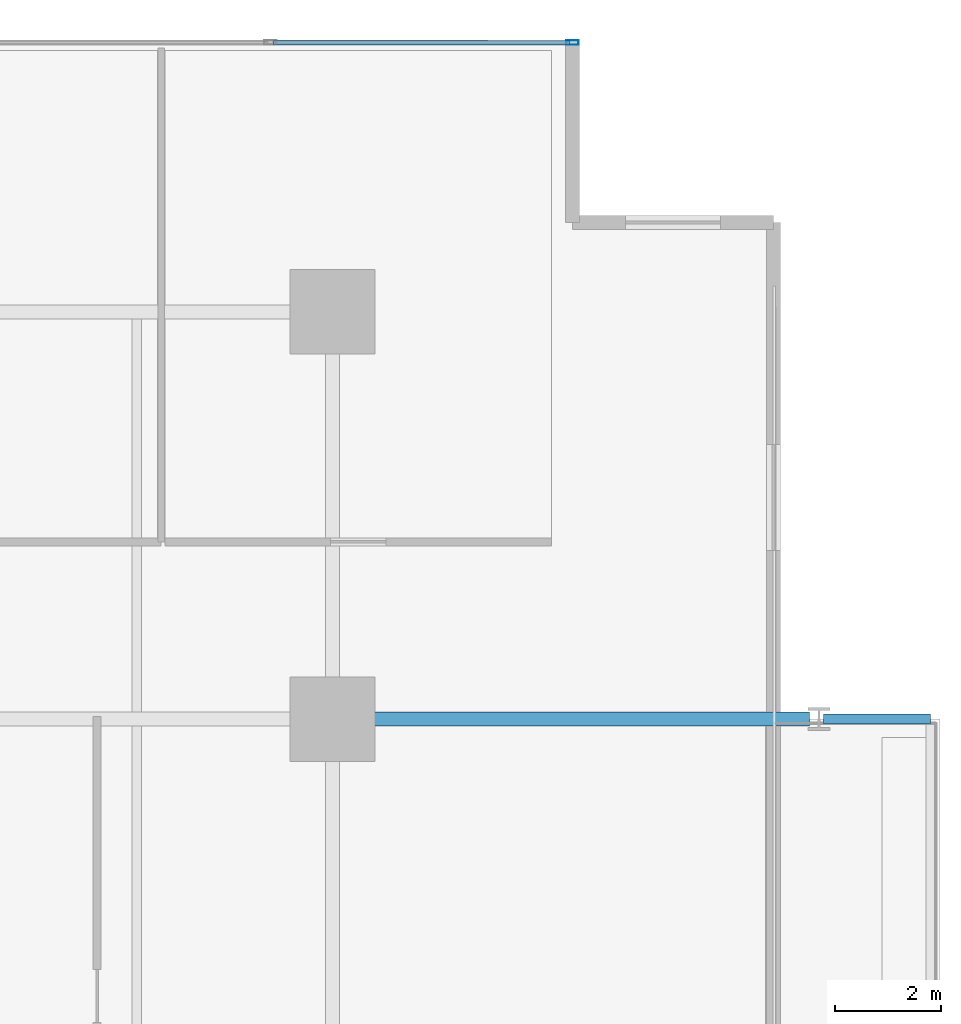
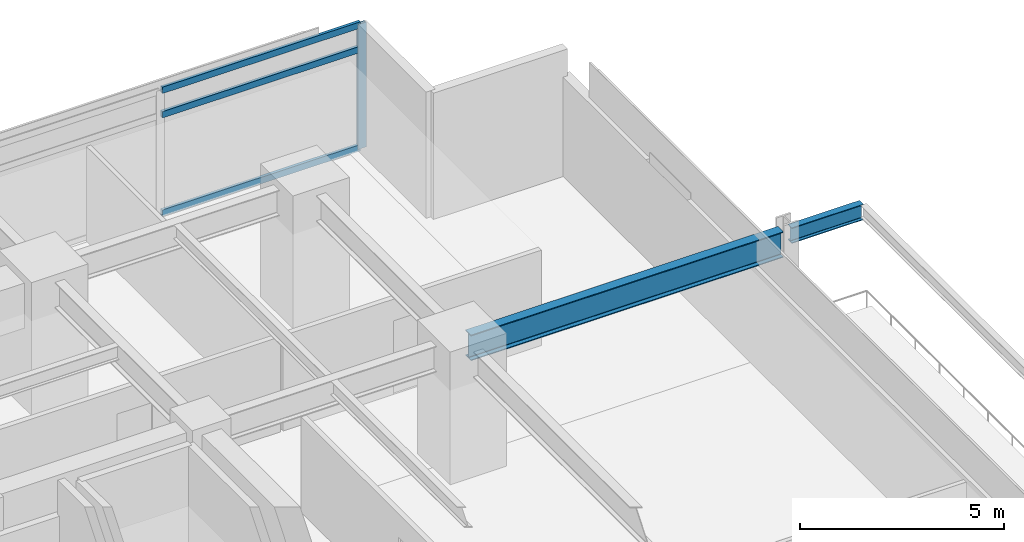
# One storey, part 11 of 21: 4 members, 2 beams, 1 element without a shape of its own.
"""IFC4 building model written with IfcOpenShell, lengths in metres."""

from ifc_helpers import new_model, si_unit, direction, frame, origin, origin_2d, place, context, subcontext, project, spatial, hollow_rectangle, i_section, extrude, material, material_profile, profile_set, type_object, element, aggregate, save


model = new_model("IFC4")

# Units and contexts
model_context = context("Model", 3, precision=1e-05, world=origin(), true_north=direction((0.0, 1.0)))
body_context = subcontext(model_context, "Body", "Model", "MODEL_VIEW")
ifc_project = project(units=[si_unit("LENGTHUNIT", "METRE"), si_unit("AREAUNIT", "SQUARE_METRE"), si_unit("VOLUMEUNIT", "CUBIC_METRE"), si_unit("PLANEANGLEUNIT", "RADIAN"), si_unit("MASSUNIT", "GRAM", prefix="KILO")], contexts=[model_context])

# Site, building, storey
site_placement = place(None, origin())
site = spatial("IfcSite", under=ifc_project, at=site_placement, CompositionType="ELEMENT")
building_placement = place(site_placement, origin())
building = spatial("IfcBuilding", under=site, at=building_placement, Name="Kovane Verandah Tower", CompositionType="ELEMENT")
storey_placement = place(building_placement, frame((0.0, 0.0, 172.39990234375)))
storey = spatial("IfcBuildingStorey", under=building, at=storey_placement, Name="L40", CompositionType="ELEMENT", Elevation=172.39990234375)

# Beam
ifc_material_1 = material(Name="Steel S355", Category="steel")
ifc_material_profile_1 = material_profile(ifc_material_1, i_section(OverallWidth=0.26806640625, OverallDepth=0.769775390625, WebThickness=0.015625, FlangeThickness=0.025390625, FilletRadius=0.0166015625, at=origin_2d()), Name="UB762x267x197")
ifc_profile_set_1 = profile_set([ifc_material_profile_1], Name="Steel S355")
beam_type_1 = type_object("IfcBeamType", Name="BM-UB762x197", PredefinedType="BEAM", material=ifc_profile_set_1)
beam_1_placement = place(storey_placement, frame((58.580078125, 36.5, 3.375244140625), z_axis=(1.0, 0.0, 0.0), x_axis=(0.0, 1.0, 0.0)))
element("IfcBeam", 1, at=beam_1_placement, inside=storey, type_object=beam_type_1, Name="L40 Primary Tower Girder G-VE2", PredefinedType="BEAM", context=body_context, shape_type="SweptSolid", body=[
    extrude(i_section(OverallWidth=0.26806640625, OverallDepth=0.769775390625, WebThickness=0.015625, FlangeThickness=0.025390625, FilletRadius=0.0166015625, at=origin_2d()), origin(), (0.0, 0.0, 1.0), 8.83984375),
])

# Curtain wall, members
ifc_material_2 = material(Name="Champagne Anodised Aluminium Frame with Low-E Clear Laminated Glass", Category="aluminium")
curtain_wall_type = type_object("IfcCurtainWallType", Name="CW-SYS-03-MID", PredefinedType="NOTDEFINED", material=ifc_material_2)
curtain_wall_placement = place(storey_placement, origin())
curtain_wall = element("IfcCurtainWall", 2, at=curtain_wall_placement, inside=storey, type_object=curtain_wall_type, Name="L40 N Unitised Curtain Wall-1", PredefinedType="NOTDEFINED")
ifc_material_3 = material(Name="Champagne Anodised Aluminium 6063-T6", Category="aluminium")
ifc_material_profile_2 = material_profile(ifc_material_3, hollow_rectangle(XDim=0.0849609375, YDim=0.22998046875, WallThickness=0.00390625, at=origin_2d()), Name="AL85x230x4")
ifc_profile_set_2 = profile_set([ifc_material_profile_2], Name="Champagne Anodised Aluminium 6063-T6")
member_type_1 = type_object("IfcMemberType", Name="CW-MUL-85x230", PredefinedType="MULLION", material=ifc_profile_set_2)
member_1_placement = place(storey_placement, frame((62.938720703125, 49.289306640625, 0.02001953125), z_axis=(0.0, 0.0, 1.0), x_axis=(0.0, 1.0, 0.0)))
member_1 = element("IfcMember", 3, at=member_1_placement, type_object=member_type_1, Name="L40 N Unitised Curtain Wall-1 Mullion 1", PredefinedType="MULLION", context=body_context, shape_type="SweptSolid", body=[
    extrude(hollow_rectangle(XDim=0.0849609375, YDim=0.22998046875, WallThickness=0.00390625, at=origin_2d()), origin(), (0.0, 0.0, 1.0), 3.735107421875),
])
ifc_material_profile_3 = material_profile(ifc_material_3, hollow_rectangle(XDim=0.0849609375, YDim=0.18994140625, WallThickness=0.00390625, at=origin_2d()), Name="AL85x190x4")
ifc_profile_set_3 = profile_set([ifc_material_profile_3], Name="Champagne Anodised Aluminium 6063-T6")
member_type_2 = type_object("IfcMemberType", Name="CW-TRN-85x190", PredefinedType="USERDEFINED", material=ifc_profile_set_3)
member_2_placement = place(storey_placement, frame((62.888671875, 49.289306640625, 0.050048828125), z_axis=(-1.0, 0.0, 0.0), x_axis=(0.0, -1.0, 0.0)))
member_2 = element("IfcMember", 4, at=member_2_placement, type_object=member_type_2, Name="L40 N Unitised Curtain Wall-1 Transom TB Bay 1", ObjectType="TRANSOM", PredefinedType="USERDEFINED", context=body_context, shape_type="SweptSolid", body=[
    extrude(hollow_rectangle(XDim=0.0849609375, YDim=0.18994140625, WallThickness=0.00390625, at=origin_2d()), origin(), (0.0, 0.0, 1.0), 5.609375),
])
member_3_placement = place(storey_placement, frame((62.888671875, 49.289306640625, 2.9951171875), z_axis=(-1.0, 0.0, 0.0), x_axis=(0.0, -1.0, 0.0)))
member_3 = element("IfcMember", 5, at=member_3_placement, type_object=member_type_2, Name="L40 N Unitised Curtain Wall-1 Transom TM Bay 1", ObjectType="TRANSOM", PredefinedType="USERDEFINED", context=body_context, shape_type="SweptSolid", body=[
    extrude(hollow_rectangle(XDim=0.0849609375, YDim=0.18994140625, WallThickness=0.00390625, at=origin_2d()), origin(), (0.0, 0.0, 1.0), 5.609375),
])
member_4_placement = place(storey_placement, frame((62.888671875, 49.289306640625, 3.72509765625), z_axis=(-1.0, 0.0, 0.0), x_axis=(0.0, -1.0, 0.0)))
member_4 = element("IfcMember", 6, at=member_4_placement, type_object=member_type_2, Name="L40 N Unitised Curtain Wall-1 Transom TT Bay 1", ObjectType="TRANSOM", PredefinedType="USERDEFINED", context=body_context, shape_type="SweptSolid", body=[
    extrude(hollow_rectangle(XDim=0.0849609375, YDim=0.18994140625, WallThickness=0.00390625, at=origin_2d()), origin(), (0.0, 0.0, 1.0), 5.609375),
])
aggregate(curtain_wall, [member_1, member_2, member_3, member_4])

# Beam
ifc_material_profile_4 = material_profile(ifc_material_1, i_section(OverallWidth=0.19287109375, OverallDepth=0.46728515625, WebThickness=0.011474609375, FlangeThickness=0.01953125, FilletRadius=0.01025390625, at=origin_2d()), Name="UB457x191x98")
ifc_profile_set_4 = profile_set([ifc_material_profile_4], Name="Steel S355")
beam_type_2 = type_object("IfcBeamType", Name="JST-UB457x98", PredefinedType="JOIST", material=ifc_profile_set_4)
beam_2_placement = place(storey_placement, frame((67.679931640625, 36.5, 3.526611328125), z_axis=(1.0, 0.0, 0.0), x_axis=(0.0, 1.0, 0.0)))
element("IfcBeam", 7, at=beam_2_placement, inside=storey, type_object=beam_type_2, Name="L40 East Planter Girder 2", PredefinedType="JOIST", context=body_context, shape_type="SweptSolid", body=[
    extrude(i_section(OverallWidth=0.19287109375, OverallDepth=0.46728515625, WebThickness=0.011474609375, FlangeThickness=0.01953125, FilletRadius=0.01025390625, at=origin_2d()), origin(), (0.0, 0.0, 1.0), 2.02587890625),
])

save(model, "model.ifc")
